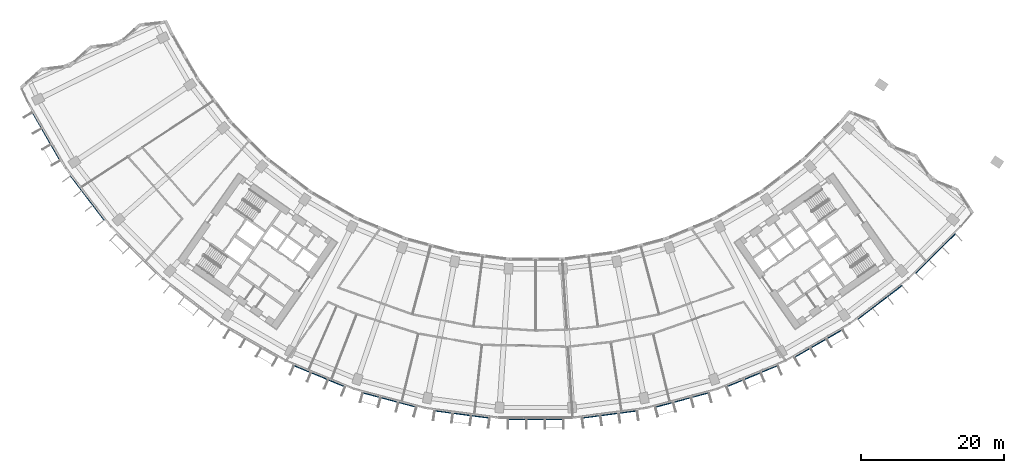
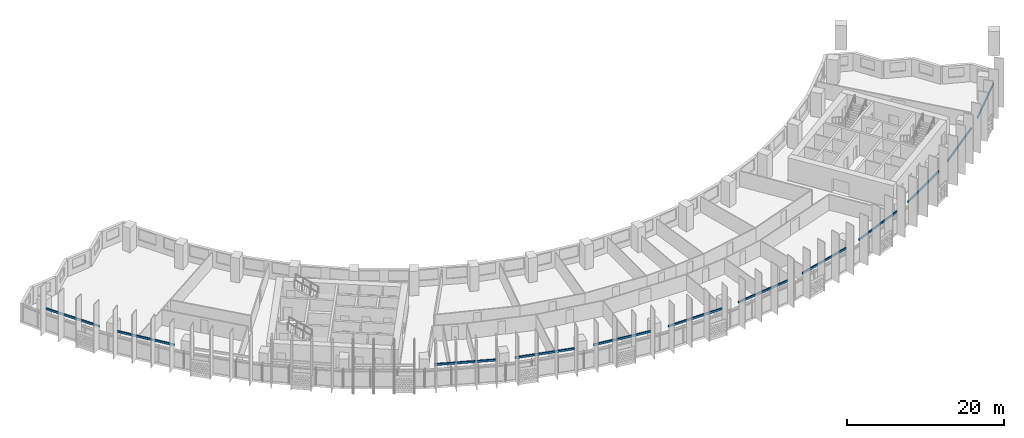
# One storey, part 9 of 30: 12 discrete accessories.
"""IFC4 building model written with IfcOpenShell, lengths in metres."""

from ifc_helpers import new_model, si_unit, direction, frame, origin, origin_2d, place, context, subcontext, project, spatial, rectangle, extrude, material, type_object, element, save


model = new_model("IFC4")

# Units and contexts
model_context = context("Model", 3, precision=1e-05, world=origin(), true_north=direction((0.0, 1.0)))
body_context = subcontext(model_context, "Body", "Model", "MODEL_VIEW")
ifc_project = project(units=[si_unit("LENGTHUNIT", "METRE"), si_unit("AREAUNIT", "SQUARE_METRE"), si_unit("VOLUMEUNIT", "CUBIC_METRE"), si_unit("PLANEANGLEUNIT", "RADIAN"), si_unit("MASSUNIT", "GRAM", prefix="KILO")], contexts=[model_context])

# Site, building, storey
site_placement = place(None, origin())
site = spatial("IfcSite", under=ifc_project, at=site_placement, CompositionType="ELEMENT")
building_placement = place(site_placement, origin())
building = spatial("IfcBuilding", under=site, at=building_placement, Name="Qamariyya Broadcast Tower", CompositionType="ELEMENT")
storey_placement = place(building_placement, frame((0.0, 0.0, 117.699951171875)))
storey = spatial("IfcBuildingStorey", under=building, at=storey_placement, Name="L26", CompositionType="ELEMENT", Elevation=117.699951171875)

# Discrete accessories
ifc_material = material(Name="Stainless steel 316", Category="steel")
discrete_accessory_type = type_object("IfcDiscreteAccessoryType", Name="Slab edge fixing angle, stainless steel", PredefinedType="BRACKET", material=ifc_material)
for number, where, z_axis, x_axis, name in (
    (1, (-68.59375, -39.6025390625, 3.2998046875), (0.0, 0.0, 1.0), (0.5, -0.866025403784, 0.0), "e-br-L26-01-0"),
    (2, (-62.837646484375, -48.217041015625, 3.2998046875), (0.0, 0.0, 1.0), (0.608761429009, -0.793353340291, 0.0), "e-br-L26-02-0"),
    (3, (-30.310546875, -73.176025390625, 3.2998046875), (0.0, 0.0, 1.0), (0.923879532511, -0.382683432365, 0.0), "e-br-L26-06-0"),
    (4, (-20.499755859375, -76.50634765625, 3.2998046875), (0.0, 0.0, 1.0), (0.965925826289, -0.258819045103, 0.0), "e-br-L26-07-0"),
    (5, (-10.33837890625, -78.527587890625, 3.2998046875), (0.0, 0.0, 1.0), (0.991444861374, -0.13052619222, 0.0), "e-br-L26-08-0"),
    (6, (0.0, -79.205322265625, 3.2998046875), (0.0, 0.0, 1.0), (1.0, 0.0, 0.0), "e-br-L26-09-0"),
    (7, (10.33837890625, -78.527587890625, 3.2998046875), (0.0, 0.0, 1.0), (0.991444861374, 0.13052619222, 0.0), "e-br-L26-10-0"),
    (8, (20.499755859375, -76.50634765625, 3.2998046875), (0.0, 0.0, 1.0), (0.965925826289, 0.258819045103, 0.0), "e-br-L26-11-0"),
    (9, (30.310546875, -73.176025390625, 3.2998046875), (0.0, 0.0, 1.0), (0.923879532511, 0.382683432365, 0.0), "e-br-L26-12-0"),
    (10, (39.6025390625, -68.59375, 3.2998046875), (0.0, 0.0, 1.0), (0.866025403784, 0.5, 0.0), "e-br-L26-13-0"),
    (11, (48.217041015625, -62.837646484375, 3.2998046875), (0.0, 0.0, 1.0), (0.793353340291, 0.608761429009, 0.0), "e-br-L26-14-0"),
    (12, (56.006591796875, -56.006591796875, 3.2998046875), (0.0, 0.0, 1.0), (0.707106781187, 0.707106781187, 0.0), "e-br-L26-15-0"),
):
    element("IfcDiscreteAccessory", number, at=place(storey_placement, frame(where, z_axis=z_axis, x_axis=x_axis)), inside=storey, type_object=discrete_accessory_type, Name=name, PredefinedType="BRACKET", context=body_context, shape_type="SweptSolid", body=[
        extrude(rectangle(XDim=7.879638671875, YDim=0.14990234375, at=origin_2d()), origin(), (0.0, 0.0, 1.0), 0.300048828125),
    ])

save(model, "model.ifc")
